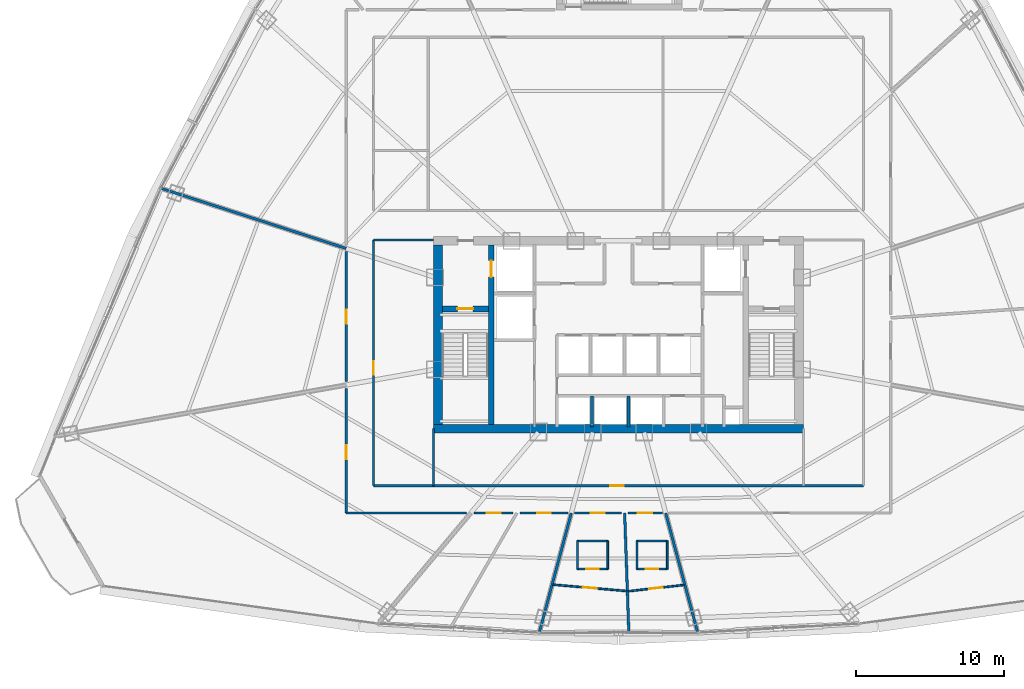
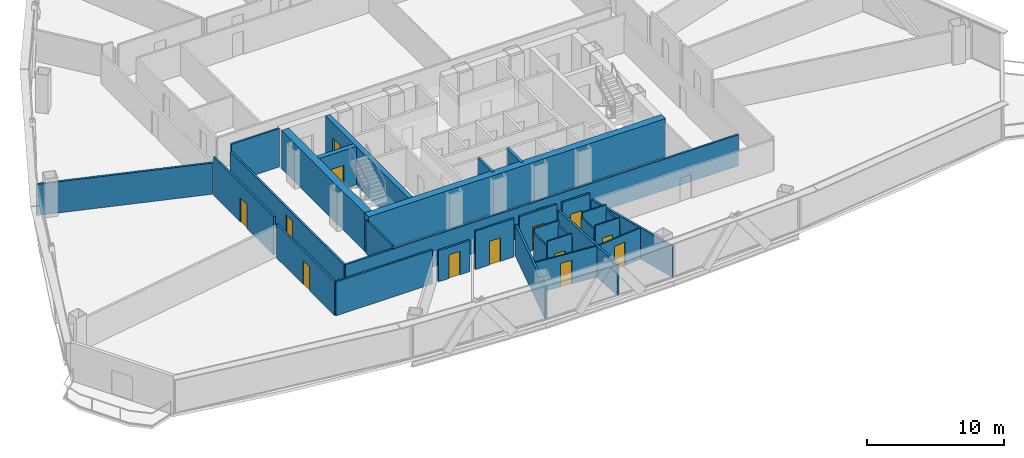
# One storey, part 32 of 39: 31 walls, 14 doors, 14 openings.
"""IFC4 building model written with IfcOpenShell, lengths in metres."""

import ifcopenshell
import ifcopenshell.guid

model = None  # the IFC model being written
_history = None  # IfcOwnerHistory: only IFC2X3 demands one
_inside = {}  # id of a spatial element -> (the spatial element, [elements in it])
_under = {}  # id of a project, library or spatial element -> (it, [spatial elements below it])
_declared = {}  # id of a project -> (the project, [libraries it declares])
_typed = {}  # id of a type object -> (the type object, [elements of that type])
_made_of = {}  # id of a material, layer set ... -> (it, [elements and type objects made of it])


def new_model(schema):
    """Start an empty IFC model of exactly this schema.

    Asked for "IFC4X3", IfcOpenShell would pick the latest addendum, in which some entities
    have other attributes; the version numbers below select the first issue.
    IFC2X3 requires an IfcOwnerHistory on every rooted entity: one is made here for all.
    """
    global model, _history
    if schema == "IFC4X3":
        model = ifcopenshell.file(schema_version=(4, 3, 0, 0))
    else:
        model = ifcopenshell.file(schema=schema)
    _inside.clear()
    _under.clear()
    _declared.clear()
    _typed.clear()
    _made_of.clear()
    _history = None
    if model.schema == "IFC2X3":
        org = make("IfcOrganization", Name="unknown")
        user = make(
            "IfcPersonAndOrganization",
            ThePerson=make("IfcPerson", FamilyName="unknown"),
            TheOrganization=org,
        )
        app = make(
            "IfcApplication",
            ApplicationDeveloper=org,
            Version="unknown",
            ApplicationFullName="unknown",
            ApplicationIdentifier="unknown",
        )
        _history = make(
            "IfcOwnerHistory",
            OwningUser=user,
            OwningApplication=app,
            ChangeAction="ADDED",
            CreationDate=0,
        )
    return model


def make(cls, **values):
    """One entity of the class cls with the attributes given. An attribute that is None is left unset."""
    return model.create_entity(
        cls, **{name: value for name, value in values.items() if value is not None}
    )


def rooted(cls, **values):
    """An entity with a GlobalId (a new one), such as an element, a storey or a relation."""
    return make(cls, GlobalId=ifcopenshell.guid.new(), OwnerHistory=_history, **values)


def si_unit(unit_type, name, prefix=None):
    """IfcSIUnit, for example si_unit("LENGTHUNIT", "METRE", prefix="MILLI")."""
    return make("IfcSIUnit", UnitType=unit_type, Prefix=prefix, Name=name)


def assignment(units):
    """IfcUnitAssignment: the units of a project."""
    return None if units is None else make("IfcUnitAssignment", Units=units)


def point(xyz):
    """IfcCartesianPoint."""
    return None if xyz is None else make("IfcCartesianPoint", Coordinates=xyz)


def direction(xyz):
    """IfcDirection."""
    return None if xyz is None else make("IfcDirection", DirectionRatios=xyz)


def frame(location, z_axis=None, x_axis=None):
    """IfcAxis2Placement3D, a coordinate frame: its origin and axes. An axis left out is left unset."""
    return make(
        "IfcAxis2Placement3D",
        Location=point(location),
        Axis=direction(z_axis),
        RefDirection=direction(x_axis),
    )


def frame_2d(location, x_axis=None):
    """IfcAxis2Placement2D, a coordinate frame in the plane: its origin and x axis."""
    return make(
        "IfcAxis2Placement2D", Location=point(location), RefDirection=direction(x_axis)
    )


def origin():
    """The frame at (0, 0, 0) with its axes left unset."""
    return frame((0.0, 0.0, 0.0))


def origin_with_axes():
    """The frame at (0, 0, 0) with the z axis (0, 0, 1) and the x axis (1, 0, 0) written out."""
    return frame((0.0, 0.0, 0.0), z_axis=(0.0, 0.0, 1.0), x_axis=(1.0, 0.0, 0.0))


def place(relative_to, where):
    """IfcLocalPlacement: puts the frame where relative to a parent placement (None: the world)."""
    return make(
        "IfcLocalPlacement", PlacementRelTo=relative_to, RelativePlacement=where
    )


def context(
    kind, dimensions, precision=None, world=None, true_north=None, identifier=None
):
    """IfcGeometricRepresentationContext, for example the 3D "Model" context."""
    return make(
        "IfcGeometricRepresentationContext",
        ContextIdentifier=identifier,
        ContextType=kind,
        CoordinateSpaceDimension=dimensions,
        Precision=precision,
        WorldCoordinateSystem=world,
        TrueNorth=true_north,
    )


def subcontext(parent, identifier, kind, view, scale=None):
    """IfcGeometricRepresentationSubContext, for example "Body" below "Model"."""
    return make(
        "IfcGeometricRepresentationSubContext",
        ContextIdentifier=identifier,
        ContextType=kind,
        ParentContext=parent,
        TargetScale=scale,
        TargetView=view,
    )


def project(units=None, contexts=None):
    """IfcProject with its units and contexts."""
    return rooted(
        "IfcProject",
        Name="project",
        RepresentationContexts=contexts,
        UnitsInContext=assignment(units),
    )


def spatial(cls, under=None, at=None, **own):
    """A site, building, storey or space (cls), placed at a placement, below another one or the project."""
    s = rooted(cls, ObjectPlacement=at, **own)
    if under is not None:
        _under.setdefault(under.id(), (under, []))[1].append(s)
    return s


def profile(cls, at=None, kind="AREA", **sizes):
    """A parametric profile (cls). Its sizes go by their IFC names, for example OverallWidth=200.0."""
    return make(cls, ProfileType=kind, Position=at, **sizes)


def rectangle(**sizes):
    """IfcRectangleProfileDef."""
    return profile("IfcRectangleProfileDef", **sizes)


def extrude(swept, where, along, depth):
    """IfcExtrudedAreaSolid: the profile swept, set in the frame where, extruded along a direction by depth."""
    return make(
        "IfcExtrudedAreaSolid",
        SweptArea=swept,
        Position=where,
        ExtrudedDirection=direction(along),
        Depth=depth,
    )


def shape(context_of_items, identifier, shape_type, items):
    """IfcShapeRepresentation: the items that make up one representation, for example the "Body"."""
    return make(
        "IfcShapeRepresentation",
        ContextOfItems=context_of_items,
        RepresentationIdentifier=identifier,
        RepresentationType=shape_type,
        Items=items,
    )


def source(mapping_origin, context_of_items, identifier, shape_type, items):
    """IfcRepresentationMap: a shape defined once, which mapped items show again and again."""
    return make(
        "IfcRepresentationMap",
        MappingOrigin=mapping_origin,
        MappedRepresentation=shape(context_of_items, identifier, shape_type, items),
    )


def transform(
    local_origin,
    x_axis=None,
    y_axis=None,
    z_axis=None,
    scale=None,
    scale2=None,
    scale3=None,
    uniform=True,
):
    """IfcCartesianTransformationOperator3D, or its non-uniform kind. x_axis, y_axis, z_axis: its Axis1, 2, 3."""
    if uniform:
        return make(
            "IfcCartesianTransformationOperator3D",
            Axis1=direction(x_axis),
            Axis2=direction(y_axis),
            LocalOrigin=point(local_origin),
            Scale=scale,
            Axis3=direction(z_axis),
        )
    return make(
        "IfcCartesianTransformationOperator3DnonUniform",
        Axis1=direction(x_axis),
        Axis2=direction(y_axis),
        LocalOrigin=point(local_origin),
        Scale=scale,
        Axis3=direction(z_axis),
        Scale2=scale2,
        Scale3=scale3,
    )


def mapped(mapping_source, mapping_target):
    """IfcMappedItem: shows the shape of a source again, moved by a transform."""
    return make(
        "IfcMappedItem", MappingSource=mapping_source, MappingTarget=mapping_target
    )


def material(Name=None, Category=None):
    """IfcMaterial."""
    return make("IfcMaterial", Name=Name, Category=Category)


def layer(
    of_material, thickness, ventilated=None, Name=None, Category=None, Priority=None
):
    """IfcMaterialLayer: one layer of a wall or slab, of a material (None: an air gap)."""
    return make(
        "IfcMaterialLayer",
        Material=of_material,
        LayerThickness=thickness,
        IsVentilated=ventilated,
        Name=Name,
        Category=Category,
        Priority=Priority,
    )


def layer_set(layers, Name=None):
    """IfcMaterialLayerSet."""
    return make("IfcMaterialLayerSet", MaterialLayers=layers, LayerSetName=Name)


def made_of(thing, what):
    """Note that an element or type object is made of a material, layer set ...; save() writes the relation."""
    if what is not None:
        _made_of.setdefault(what.id(), (what, []))[1].append(thing)
    return thing


def type_object(cls, material=None, **own):
    """A type object (cls), such as IfcWallType, which elements share."""
    return made_of(rooted(cls, **own), material)


def element(
    cls,
    number,
    at=None,
    inside=None,
    cuts=None,
    type_object=None,
    material=None,
    context=None,
    identifier="Body",
    shape_type=None,
    held_by="IfcProductDefinitionShape",
    body=None,
    shapes=None,
    **own,
):
    """One element of the class cls, such as IfcWall. Its Tag is "e" and its number.

    at: its placement. inside: the storey or other place that contains it. cuts: it is an
    opening in that element (IfcRelVoidsElement). A single representation is given by context,
    identifier, shape_type and body (its items); several are given by shapes. held_by: the class
    of the entity that holds the representations. save() writes the other relations.
    """
    e = rooted(cls, Tag="e%d" % number, ObjectPlacement=at, **own)
    if body is not None:
        shapes = [shape(context, identifier, shape_type, body)]
    if shapes is not None:
        e.Representation = make(held_by, Representations=shapes)
    if inside is not None:
        _inside.setdefault(inside.id(), (inside, []))[1].append(e)
    if cuts is not None:
        rooted(
            "IfcRelVoidsElement", RelatingBuildingElement=cuts, RelatedOpeningElement=e
        )
    if type_object is not None:
        _typed.setdefault(type_object.id(), (type_object, []))[1].append(e)
    return made_of(e, material)


def fill(opening, filler):
    """IfcRelFillsElement: the door or window that sits in an opening."""
    return rooted(
        "IfcRelFillsElement",
        RelatingOpeningElement=opening,
        RelatedBuildingElement=filler,
    )


def aggregate(whole, parts):
    """IfcRelAggregates: a whole, such as a stair, and the parts it consists of."""
    return rooted("IfcRelAggregates", RelatingObject=whole, RelatedObjects=parts)


def save(model, path):
    """Write the relations noted so far, then the file.

    IfcRelAggregates (storeys below a building ...), IfcRelContainedInSpatialStructure (elements
    in a storey), IfcRelDefinesByType, IfcRelAssociatesMaterial and IfcRelDeclares: one each for
    every whole, place, type object, material and project.
    """
    for whole, parts in _under.values():
        aggregate(whole, parts)
    for where, things in _inside.values():
        rooted(
            "IfcRelContainedInSpatialStructure",
            RelatedElements=things,
            RelatingStructure=where,
        )
    for kind, things in _typed.values():
        rooted("IfcRelDefinesByType", RelatedObjects=things, RelatingType=kind)
    for what, things in _made_of.values():
        rooted("IfcRelAssociatesMaterial", RelatedObjects=things, RelatingMaterial=what)
    for by, libraries in _declared.values():
        rooted("IfcRelDeclares", RelatingContext=by, RelatedDefinitions=libraries)
    model.write(path)


model = new_model("IFC4")

# Units and contexts
model_context = context("Model", 3, precision=1e-05, world=origin(), true_north=direction((0.0, 1.0)))
body_context = subcontext(model_context, "Body", "Model", "MODEL_VIEW")
ifc_project = project(units=[si_unit("LENGTHUNIT", "METRE"), si_unit("AREAUNIT", "SQUARE_METRE"), si_unit("VOLUMEUNIT", "CUBIC_METRE"), si_unit("PLANEANGLEUNIT", "RADIAN"), si_unit("MASSUNIT", "GRAM", prefix="KILO"), si_unit("THERMODYNAMICTEMPERATUREUNIT", "KELVIN"), si_unit("POWERUNIT", "WATT")], contexts=[model_context])

# Site, building, storey
site_placement = place(None, origin())
site = spatial("IfcSite", under=ifc_project, at=site_placement, CompositionType="ELEMENT")
building_placement = place(site_placement, origin())
building = spatial("IfcBuilding", under=site, at=building_placement, Name="Yunzhuo Pagoda Commons", CompositionType="ELEMENT")
storey_placement = place(building_placement, frame((0.0, 0.0, 162.949951171875)))
storey = spatial("IfcBuildingStorey", under=building, at=storey_placement, Name="L41", CompositionType="ELEMENT", Elevation=162.949951171875)

# Walls
ifc_material_1 = material(Name="Concrete C60", Category="concrete")
ifc_layer_1 = layer(ifc_material_1, 0.60009765625)
ifc_layer_set_1 = layer_set([ifc_layer_1], Name="Concrete C60")
wall_type_1 = type_object("IfcWallType", Name="W-C02 Mid Core Shear Wall 600", PredefinedType="SHEAR", material=ifc_layer_set_1)
wall_1_placement = place(storey_placement, frame((35.5, 27.5, 0.0), z_axis=(0.0, 0.0, 1.0), x_axis=(1.0, 0.0, 0.0)))
element("IfcWall", 1, at=wall_1_placement, inside=storey, type_object=wall_type_1, Name="L41 core shear wall S", PredefinedType="SHEAR", context=body_context, shape_type="SweptSolid", body=[
    extrude(rectangle(XDim=25.0, YDim=0.60009765625, at=frame_2d((12.5, 0.0))), origin(), (0.0, 0.0, 1.0), 3.420166015625),
])
wall_2_placement = place(storey_placement, frame((35.800048828125, 27.800048828125, 0.0), z_axis=(0.0, 0.0, 1.0), x_axis=(0.0, 1.0, 0.0)))
element("IfcWall", 2, at=wall_2_placement, inside=storey, type_object=wall_type_1, Name="L41 core shear wall W", PredefinedType="SHEAR", context=body_context, shape_type="SweptSolid", body=[
    extrude(rectangle(XDim=12.099853515625, YDim=0.60009765625, at=frame_2d((6.0498046875, 0.0))), origin(), (0.0, 0.0, 1.0), 3.420166015625),
])

# Wall, opening, door
ifc_material_2 = material(Name="Gypsum plasterboard on acoustic stud")
ifc_layer_2 = layer(ifc_material_2, 0.155029296875)
ifc_layer_set_2 = layer_set([ifc_layer_2], Name="Gypsum plasterboard on acoustic stud")
wall_type_2 = type_object("IfcWallType", Name="W-COR2 Mid-Zone Rated Corridor Wall 155", PredefinedType="PARTITIONING", material=ifc_layer_set_2)
wall_3_placement = place(storey_placement, frame((31.449951171875, 23.64990234375, 0.0), z_axis=(0.0, 0.0, 1.0), x_axis=(0.0, 1.0, 0.0)))
wall_3 = element("IfcWall", 3, at=wall_3_placement, inside=storey, type_object=wall_type_2, Name="L41 interior wall IW-L41-SFLW", PredefinedType="PARTITIONING", context=body_context, shape_type="SweptSolid", body=[
    extrude(rectangle(XDim=16.60009765625, YDim=0.155029296875, at=frame_2d((8.300048828125, 0.0))), origin(), (0.0, 0.0, 1.0), 2.77001953125),
])
opening_1_placement = place(wall_3_placement, frame((7.5, 0.0, 0.0)))
opening_1 = element("IfcOpeningElement", 4, at=opening_1_placement, cuts=wall_3, Name="Opening D-12", PredefinedType="OPENING", context=body_context, shape_type="SweptSolid", body=[
    extrude(rectangle(XDim=0.89990234375, YDim=2.080078125, at=frame_2d((0.449951171875, 1.0400390625))), frame((0.0, 0.08740234375, 0.0), z_axis=(0.0, -1.0, 0.0), x_axis=(1.0, 0.0, 0.0)), (0.0, 0.0, 1.0), 0.175048828125),
])
ifc_material_3 = material(Name="Powder-coated aluminium and timber acoustic leaf", Category="wood")
door_type_1 = type_object("IfcDoorType", Name="D-12 Quiet Study Interior Door 900x2080", OperationType="NOTDEFINED", PredefinedType="DOOR", material=ifc_material_3)
shared_shape_1 = source(origin(), body_context, "Body", "SweptSolid", [
    extrude(rectangle(XDim=0.89990234375, YDim=2.080078125, at=frame_2d((0.449951171875, 1.0400390625))), frame((0.0, 0.02490234375, 0.0), z_axis=(0.0, -1.0, 0.0), x_axis=(1.0, 0.0, 0.0)), (0.0, 0.0, 1.0), 0.050048828125),
])
door_1_placement = place(opening_1_placement, origin_with_axes())
door_1 = element("IfcDoor", 5, at=door_1_placement, inside=storey, type_object=door_type_1, Name="L41 west study workroom door", OperationType="SINGLE_SWING_LEFT", OverallHeight=2.080078125, OverallWidth=0.89990234375, PredefinedType="DOOR", context=body_context, shape_type="MappedRepresentation", body=[
    mapped(shared_shape_1, transform((0.0, 0.0, 0.0), scale=1.0)),
])
fill(opening_1, door_1)

wall_4_placement = place(storey_placement, frame((31.449951171875, 23.64990234375, 0.0), z_axis=(0.0, 0.0, 1.0), x_axis=(1.0, 0.0, 0.0)))
wall_4 = element("IfcWall", 6, at=wall_4_placement, inside=storey, type_object=wall_type_2, Name="L41 interior wall IW-L41-SFLS", PredefinedType="PARTITIONING", context=body_context, shape_type="SweptSolid", body=[
    extrude(rectangle(XDim=33.10009765625, YDim=0.155029296875, at=frame_2d((16.550048828125, 0.0))), origin(), (0.0, 0.0, 1.0), 2.77001953125),
])
opening_2_placement = place(wall_4_placement, frame((16.0, 0.0, 0.0)))
opening_2 = element("IfcOpeningElement", 7, at=opening_2_placement, cuts=wall_4, Name="Opening D-04", PredefinedType="OPENING", context=body_context, shape_type="SweptSolid", body=[
    extrude(rectangle(XDim=0.919921875, YDim=2.10009765625, at=frame_2d((0.4599609375, 1.050048828125))), frame((0.0, 0.08740234375, 0.0), z_axis=(0.0, -1.0, 0.0), x_axis=(1.0, 0.0, 0.0)), (0.0, 0.0, 1.0), 0.175048828125),
])
door_type_2 = type_object("IfcDoorType", Name="D-04 Bedroom & Study Interior Door 920x2100", OperationType="NOTDEFINED", PredefinedType="DOOR", material=ifc_material_3)
shared_shape_2 = source(origin(), body_context, "Body", "SweptSolid", [
    extrude(rectangle(XDim=0.919921875, YDim=2.10009765625, at=frame_2d((0.4599609375, 1.050048828125))), frame((0.0, 0.02490234375, 0.0), z_axis=(0.0, -1.0, 0.0), x_axis=(1.0, 0.0, 0.0)), (0.0, 0.0, 1.0), 0.050048828125),
])
door_2_placement = place(opening_2_placement, frame((0.919921875, 0.0, 0.0), z_axis=(0.0, 0.0, 1.0), x_axis=(-1.0, 0.0, 0.0)))
door_2 = element("IfcDoor", 8, at=door_2_placement, inside=storey, type_object=door_type_2, Name="L41 south seminar room door", OperationType="SINGLE_SWING_RIGHT", OverallHeight=2.10009765625, OverallWidth=0.919921875, PredefinedType="DOOR", context=body_context, shape_type="MappedRepresentation", body=[
    mapped(shared_shape_2, transform((0.0, 0.0, 0.0), scale=1.0)),
])
fill(opening_2, door_2)

# Wall
wall_5_placement = place(storey_placement, frame((31.449951171875, 40.25, 0.0), z_axis=(0.0, 0.0, 1.0), x_axis=(1.0, 0.0, 0.0)))
element("IfcWall", 9, at=wall_5_placement, inside=storey, type_object=wall_type_2, Name="L41 interior wall IW-L41-SFLNW", PredefinedType="PARTITIONING", context=body_context, shape_type="SweptSolid", body=[
    extrude(rectangle(XDim=4.050048828125, YDim=0.155029296875, at=frame_2d((2.02490234375, 0.0))), origin(), (0.0, 0.0, 1.0), 3.420166015625),
])

# Wall, opening, door
wall_6_placement = place(storey_placement, frame((29.60009765625, 21.800048828125, 0.0), z_axis=(0.0, 0.0, 1.0), x_axis=(0.0, 1.0, 0.0)))
wall_6 = element("IfcWall", 10, at=wall_6_placement, inside=storey, type_object=wall_type_2, Name="L41 interior wall IW-L41-CWL01", PredefinedType="PARTITIONING", context=body_context, shape_type="SweptSolid", body=[
    extrude(rectangle(XDim=8.43212890625, YDim=0.155029296875, at=frame_2d((4.216064453125, 0.0))), origin(), (0.0, 0.0, 1.0), 3.02001953125),
])
opening_3_placement = place(wall_6_placement, frame((3.622802734375, 0.0, 0.0)))
opening_3 = element("IfcOpeningElement", 11, at=opening_3_placement, cuts=wall_6, Name="Opening D-07", PredefinedType="OPENING", context=body_context, shape_type="SweptSolid", body=[
    extrude(rectangle(XDim=0.9599609375, YDim=2.1201171875, at=frame_2d((0.47998046875, 1.06005859375))), frame((0.0, 0.08740234375, 0.0), z_axis=(0.0, -1.0, 0.0), x_axis=(1.0, 0.0, 0.0)), (0.0, 0.0, 1.0), 0.175048828125),
])
ifc_material_4 = material(Name="Galvanized fire-resisting metal leaf")
door_type_3 = type_object("IfcDoorType", Name="D-07 Mid-Zone Suite Entrance Fire Door 960x2120", OperationType="NOTDEFINED", PredefinedType="DOOR", material=ifc_material_4)
shared_shape_3 = source(origin(), body_context, "Body", "SweptSolid", [
    extrude(rectangle(XDim=0.9599609375, YDim=2.1201171875, at=frame_2d((0.47998046875, 1.06005859375))), frame((0.0, 0.02490234375, 0.0), z_axis=(0.0, -1.0, 0.0), x_axis=(1.0, 0.0, 0.0)), (0.0, 0.0, 1.0), 0.050048828125),
])
door_3_placement = place(opening_3_placement, origin_with_axes())
door_3 = element("IfcDoor", 12, at=door_3_placement, inside=storey, type_object=door_type_3, Name="L41 unit 09 entrance door", OperationType="SINGLE_SWING_RIGHT", OverallHeight=2.1201171875, OverallWidth=0.9599609375, PredefinedType="DOOR", context=body_context, shape_type="MappedRepresentation", body=[
    mapped(shared_shape_3, transform((0.0, 0.0, 0.0), scale=1.0)),
])
fill(opening_3, door_3)

wall_7_placement = place(storey_placement, frame((29.60009765625, 30.67529296875, 0.0), z_axis=(0.0, 0.0, 1.0), x_axis=(0.0, 1.0, 0.0)))
wall_7 = element("IfcWall", 13, at=wall_7_placement, inside=storey, type_object=wall_type_2, Name="L41 interior wall IW-L41-CWL02", PredefinedType="PARTITIONING", context=body_context, shape_type="SweptSolid", body=[
    extrude(rectangle(XDim=8.783447265625, YDim=0.155029296875, at=frame_2d((4.3916015625, 0.0))), origin(), (0.0, 0.0, 1.0), 3.420166015625),
])
opening_4_placement = place(wall_7_placement, frame((3.916748046875, 0.0, 0.0)))
opening_4 = element("IfcOpeningElement", 14, at=opening_4_placement, cuts=wall_7, Name="Opening D-07", PredefinedType="OPENING", context=body_context, shape_type="SweptSolid", body=[
    extrude(rectangle(XDim=0.9599609375, YDim=2.1201171875, at=frame_2d((0.47998046875, 1.06005859375))), frame((0.0, 0.08740234375, 0.0), z_axis=(0.0, -1.0, 0.0), x_axis=(1.0, 0.0, 0.0)), (0.0, 0.0, 1.0), 0.175048828125),
])
door_4_placement = place(opening_4_placement, origin_with_axes())
door_4 = element("IfcDoor", 15, at=door_4_placement, inside=storey, type_object=door_type_3, Name="L41 unit 08 entrance door", OperationType="SINGLE_SWING_LEFT", OverallHeight=2.1201171875, OverallWidth=0.9599609375, PredefinedType="DOOR", context=body_context, shape_type="MappedRepresentation", body=[
    mapped(shared_shape_3, transform((0.0, 0.0, 0.0), scale=1.0)),
])
fill(opening_4, door_4)

wall_8_placement = place(storey_placement, frame((50.96875, 21.800048828125, 0.0), z_axis=(0.0, 0.0, 1.0), x_axis=(-1.0, 0.0, 0.0)))
wall_8 = element("IfcWall", 16, at=wall_8_placement, inside=storey, type_object=wall_type_2, Name="L41 interior wall IW-L41-CWL16", PredefinedType="PARTITIONING", context=body_context, shape_type="SweptSolid", body=[
    extrude(rectangle(XDim=2.3330078125, YDim=0.155029296875, at=frame_2d((1.16650390625, 0.0))), origin(), (0.0, 0.0, 1.0), 3.420166015625),
])
opening_5_placement = place(wall_8_placement, frame((0.691650390625, 0.0, 0.0)))
opening_5 = element("IfcOpeningElement", 17, at=opening_5_placement, cuts=wall_8, Name="Opening D-07", PredefinedType="OPENING", context=body_context, shape_type="SweptSolid", body=[
    extrude(rectangle(XDim=0.9599609375, YDim=2.1201171875, at=frame_2d((0.47998046875, 1.06005859375))), frame((0.0, 0.08740234375, 0.0), z_axis=(0.0, -1.0, 0.0), x_axis=(1.0, 0.0, 0.0)), (0.0, 0.0, 1.0), 0.175048828125),
])
door_5_placement = place(opening_5_placement, origin_with_axes())
door_5 = element("IfcDoor", 18, at=door_5_placement, inside=storey, type_object=door_type_3, Name="L41 unit 13 entrance door", OperationType="SINGLE_SWING_RIGHT", OverallHeight=2.1201171875, OverallWidth=0.9599609375, PredefinedType="DOOR", context=body_context, shape_type="MappedRepresentation", body=[
    mapped(shared_shape_3, transform((0.0, 0.0, 0.0), scale=1.0)),
])
fill(opening_5, door_5)

wall_9_placement = place(storey_placement, frame((48.19580078125, 21.800048828125, 0.0), z_axis=(0.0, 0.0, 1.0), x_axis=(-1.0, 0.0, 0.0)))
wall_9 = element("IfcWall", 19, at=wall_9_placement, inside=storey, type_object=wall_type_2, Name="L41 interior wall IW-L41-CWL17", PredefinedType="PARTITIONING", context=body_context, shape_type="SweptSolid", body=[
    extrude(rectangle(XDim=3.16455078125, YDim=0.155029296875, at=frame_2d((1.582275390625, 0.0))), origin(), (0.0, 0.0, 1.0), 3.420166015625),
])
opening_6_placement = place(wall_9_placement, frame((1.107421875, 0.0, 0.0)))
opening_6 = element("IfcOpeningElement", 20, at=opening_6_placement, cuts=wall_9, Name="Opening D-07", PredefinedType="OPENING", context=body_context, shape_type="SweptSolid", body=[
    extrude(rectangle(XDim=0.9599609375, YDim=2.1201171875, at=frame_2d((0.47998046875, 1.06005859375))), frame((0.0, 0.08740234375, 0.0), z_axis=(0.0, -1.0, 0.0), x_axis=(1.0, 0.0, 0.0)), (0.0, 0.0, 1.0), 0.175048828125),
])
door_6_placement = place(opening_6_placement, origin_with_axes())
door_6 = element("IfcDoor", 21, at=door_6_placement, inside=storey, type_object=door_type_3, Name="L41 unit 12 entrance door", OperationType="SINGLE_SWING_LEFT", OverallHeight=2.1201171875, OverallWidth=0.9599609375, PredefinedType="DOOR", context=body_context, shape_type="MappedRepresentation", body=[
    mapped(shared_shape_3, transform((0.0, 0.0, 0.0), scale=1.0)),
])
fill(opening_6, door_6)

wall_10_placement = place(storey_placement, frame((44.58349609375, 21.800048828125, 0.0), z_axis=(0.0, 0.0, 1.0), x_axis=(-1.0, 0.0, 0.0)))
wall_10 = element("IfcWall", 22, at=wall_10_placement, inside=storey, type_object=wall_type_2, Name="L41 interior wall IW-L41-CWL18", PredefinedType="PARTITIONING", context=body_context, shape_type="SweptSolid", body=[
    extrude(rectangle(XDim=3.234130859375, YDim=0.155029296875, at=frame_2d((1.6171875, 0.0))), origin(), (0.0, 0.0, 1.0), 3.420166015625),
])
opening_7_placement = place(wall_10_placement, frame((1.153076171875, 0.0, 0.0)))
opening_7 = element("IfcOpeningElement", 23, at=opening_7_placement, cuts=wall_10, Name="Opening D-04", PredefinedType="OPENING", context=body_context, shape_type="SweptSolid", body=[
    extrude(rectangle(XDim=0.919921875, YDim=2.10009765625, at=frame_2d((0.4599609375, 1.050048828125))), frame((0.0, 0.08740234375, 0.0), z_axis=(0.0, -1.0, 0.0), x_axis=(1.0, 0.0, 0.0)), (0.0, 0.0, 1.0), 0.175048828125),
])
door_7_placement = place(opening_7_placement, origin_with_axes())
door_7 = element("IfcDoor", 24, at=door_7_placement, inside=storey, type_object=door_type_2, Name="L41 fellow workroom 11 door", OperationType="SINGLE_SWING_RIGHT", OverallHeight=2.10009765625, OverallWidth=0.919921875, PredefinedType="DOOR", context=body_context, shape_type="MappedRepresentation", body=[
    mapped(shared_shape_2, transform((0.0, 0.0, 0.0), scale=1.0)),
])
fill(opening_7, door_7)

wall_11_placement = place(storey_placement, frame((40.87548828125, 21.800048828125, 0.0), z_axis=(0.0, 0.0, 1.0), x_axis=(-1.0, 0.0, 0.0)))
wall_11 = element("IfcWall", 25, at=wall_11_placement, inside=storey, type_object=wall_type_2, Name="L41 interior wall IW-L41-CWL19", PredefinedType="PARTITIONING", context=body_context, shape_type="SweptSolid", body=[
    extrude(rectangle(XDim=2.640869140625, YDim=0.155029296875, at=frame_2d((1.3203125, 0.0))), origin(), (0.0, 0.0, 1.0), 2.77001953125),
])
opening_8_placement = place(wall_11_placement, frame((0.843505859375, 0.0, 0.0)))
opening_8 = element("IfcOpeningElement", 26, at=opening_8_placement, cuts=wall_11, Name="Opening D-04", PredefinedType="OPENING", context=body_context, shape_type="SweptSolid", body=[
    extrude(rectangle(XDim=0.919921875, YDim=2.10009765625, at=frame_2d((0.4599609375, 1.050048828125))), frame((0.0, 0.08740234375, 0.0), z_axis=(0.0, -1.0, 0.0), x_axis=(1.0, 0.0, 0.0)), (0.0, 0.0, 1.0), 0.175048828125),
])
door_8_placement = place(opening_8_placement, origin_with_axes())
door_8 = element("IfcDoor", 27, at=door_8_placement, inside=storey, type_object=door_type_2, Name="L41 fellow workroom 10 door", OperationType="SINGLE_SWING_LEFT", OverallHeight=2.10009765625, OverallWidth=0.919921875, PredefinedType="DOOR", context=body_context, shape_type="MappedRepresentation", body=[
    mapped(shared_shape_2, transform((0.0, 0.0, 0.0), scale=1.0)),
])
fill(opening_8, door_8)

# Walls
wall_12_placement = place(storey_placement, frame((37.7275390625, 21.800048828125, 0.0), z_axis=(0.0, 0.0, 1.0), x_axis=(-1.0, 0.0, 0.0)))
element("IfcWall", 28, at=wall_12_placement, inside=storey, type_object=wall_type_2, Name="L41 interior wall IW-L41-CWL20", PredefinedType="PARTITIONING", context=body_context, shape_type="SweptSolid", body=[
    extrude(rectangle(XDim=8.12744140625, YDim=0.155029296875, at=frame_2d((4.063720703125, 0.0))), origin(), (0.0, 0.0, 1.0), 3.02001953125),
])
ifc_layer_3 = layer(ifc_material_2, 0.1201171875)
ifc_layer_set_3 = layer_set([ifc_layer_3], Name="Gypsum plasterboard on acoustic stud")
wall_type_3 = type_object("IfcWallType", Name="W-PRT1 Suite & Bathroom Partition 120", PredefinedType="PARTITIONING", material=ifc_layer_set_3)
wall_13_placement = place(storey_placement, frame((35.5, 23.64990234375, 0.0), z_axis=(0.0, 0.0, 1.0), x_axis=(0.0, 1.0, 0.0)))
element("IfcWall", 29, at=wall_13_placement, inside=storey, type_object=wall_type_3, Name="L41 interior wall IW-L41-SFLD1", PredefinedType="PARTITIONING", context=body_context, shape_type="SweptSolid", body=[
    extrude(rectangle(XDim=3.85009765625, YDim=0.1201171875, at=frame_2d((1.925048828125, 0.0))), origin(), (0.0, 0.0, 1.0), 3.02001953125),
])

# Wall, opening, door
wall_14_placement = place(storey_placement, frame((45.22900390625, 18.02001953125, 0.0), z_axis=(0.0, 0.0, 1.0), x_axis=(1.0, 0.0, 0.0)))
wall_14 = element("IfcWall", 30, at=wall_14_placement, inside=storey, type_object=wall_type_3, Name="L41 interior wall IW-L41-B12S", PredefinedType="PARTITIONING", context=body_context, shape_type="SweptSolid", body=[
    extrude(rectangle(XDim=2.050048828125, YDim=0.1201171875, at=frame_2d((1.02490234375, 0.0))), origin(), (0.0, 0.0, 1.0), 3.420166015625),
])
opening_9_placement = place(wall_14_placement, frame((0.60009765625, 0.0, 0.0)))
opening_9 = element("IfcOpeningElement", 31, at=opening_9_placement, cuts=wall_14, Name="Opening D-05", PredefinedType="OPENING", context=body_context, shape_type="SweptSolid", body=[
    extrude(rectangle(XDim=0.85009765625, YDim=2.10009765625, at=frame_2d((0.425048828125, 1.050048828125))), frame((0.0, 0.070068359375, 0.0), z_axis=(0.0, -1.0, 0.0), x_axis=(1.0, 0.0, 0.0)), (0.0, 0.0, 1.0), 0.14013671875),
])
door_type_4 = type_object("IfcDoorType", Name="D-05 En-Suite Bathroom Door 850x2100", OperationType="NOTDEFINED", PredefinedType="DOOR", material=ifc_material_3)
shared_shape_4 = source(origin(), body_context, "Body", "SweptSolid", [
    extrude(rectangle(XDim=0.85009765625, YDim=2.10009765625, at=frame_2d((0.425048828125, 1.050048828125))), frame((0.0, 0.02490234375, 0.0), z_axis=(0.0, -1.0, 0.0), x_axis=(1.0, 0.0, 0.0)), (0.0, 0.0, 1.0), 0.050048828125),
])
door_9_placement = place(opening_9_placement, frame((0.85009765625, 0.0, 0.0), z_axis=(0.0, 0.0, 1.0), x_axis=(-1.0, 0.0, 0.0)))
door_9 = element("IfcDoor", 32, at=door_9_placement, inside=storey, type_object=door_type_4, Name="L41 unit 12 bathroom door", OperationType="SINGLE_SWING_LEFT", OverallHeight=2.10009765625, OverallWidth=0.85009765625, PredefinedType="DOOR", context=body_context, shape_type="MappedRepresentation", body=[
    mapped(shared_shape_4, transform((0.0, 0.0, 0.0), scale=1.0)),
])
fill(opening_9, door_9)

# Walls
wall_15_placement = place(storey_placement, frame((47.279052734375, 18.02001953125, 0.0), z_axis=(0.0, 0.0, 1.0), x_axis=(0.0, 1.0, 0.0)))
element("IfcWall", 33, at=wall_15_placement, inside=storey, type_object=wall_type_3, Name="L41 interior wall IW-L41-B12E", PredefinedType="PARTITIONING", context=body_context, shape_type="SweptSolid", body=[
    extrude(rectangle(XDim=1.89990234375, YDim=0.1201171875, at=frame_2d((0.949951171875, 0.0))), origin(), (0.0, 0.0, 1.0), 3.02001953125),
])
wall_16_placement = place(storey_placement, frame((47.279052734375, 19.919921875, 0.0), z_axis=(0.0, 0.0, 1.0), x_axis=(-1.0, 0.0, 0.0)))
element("IfcWall", 34, at=wall_16_placement, inside=storey, type_object=wall_type_3, Name="L41 interior wall IW-L41-B12N", PredefinedType="PARTITIONING", context=body_context, shape_type="SweptSolid", body=[
    extrude(rectangle(XDim=2.050048828125, YDim=0.1201171875, at=frame_2d((1.02490234375, 0.0))), origin(), (0.0, 0.0, 1.0), 3.420166015625),
])
wall_17_placement = place(storey_placement, frame((45.22900390625, 19.919921875, 0.0), z_axis=(0.0, 0.0, 1.0), x_axis=(0.0, -1.0, 0.0)))
element("IfcWall", 35, at=wall_17_placement, inside=storey, type_object=wall_type_3, Name="L41 interior wall IW-L41-B12W", PredefinedType="PARTITIONING", context=body_context, shape_type="SweptSolid", body=[
    extrude(rectangle(XDim=1.89990234375, YDim=0.1201171875, at=frame_2d((0.949951171875, 0.0))), origin(), (0.0, 0.0, 1.0), 3.02001953125),
])

# Wall, opening, door
wall_18_placement = place(storey_placement, frame((43.577392578125, 16.96240234375, 0.0), z_axis=(0.0, 0.0, 1.0), x_axis=(0.996284419504, -0.086124070114, 0.0)))
wall_18 = element("IfcWall", 36, at=wall_18_placement, inside=storey, type_object=wall_type_3, Name="L41 interior wall IW-L41-CLB12", PredefinedType="PARTITIONING", context=body_context, shape_type="SweptSolid", body=[
    extrude(rectangle(XDim=4.980712890625, YDim=0.1201171875, at=frame_2d((2.490234375, 0.0))), origin(), (0.0, 0.0, 1.0), 2.77001953125),
])
opening_10_placement = place(wall_18_placement, frame((2.030517578125, 0.0, 0.0)))
opening_10 = element("IfcOpeningElement", 37, at=opening_10_placement, cuts=wall_18, Name="Opening D-04", PredefinedType="OPENING", context=body_context, shape_type="SweptSolid", body=[
    extrude(rectangle(XDim=0.919921875, YDim=2.10009765625, at=frame_2d((0.4599609375, 1.050048828125))), frame((0.0, 0.070068359375, 0.0), z_axis=(0.0, -1.0, 0.0), x_axis=(1.0, 0.0, 0.0)), (0.0, 0.0, 1.0), 0.14013671875),
])
door_10_placement = place(opening_10_placement, origin_with_axes())
door_10 = element("IfcDoor", 38, at=door_10_placement, inside=storey, type_object=door_type_2, Name="L41 suite 12 bedroom door", OperationType="SINGLE_SWING_LEFT", OverallHeight=2.10009765625, OverallWidth=0.919921875, PredefinedType="DOOR", context=body_context, shape_type="MappedRepresentation", body=[
    mapped(shared_shape_2, transform((0.0, 0.0, 0.0), scale=1.0)),
])
fill(opening_10, door_10)

wall_19_placement = place(storey_placement, frame((49.24609375, 18.01708984375, 0.0), z_axis=(0.0, 0.0, 1.0), x_axis=(1.0, 0.0, 0.0)))
wall_19 = element("IfcWall", 39, at=wall_19_placement, inside=storey, type_object=wall_type_3, Name="L41 interior wall IW-L41-B13S", PredefinedType="PARTITIONING", context=body_context, shape_type="SweptSolid", body=[
    extrude(rectangle(XDim=2.0498046875, YDim=0.1201171875, at=frame_2d((1.02490234375, 0.0))), origin(), (0.0, 0.0, 1.0), 3.420166015625),
])
opening_11_placement = place(wall_19_placement, frame((0.60009765625, 0.0, 0.0)))
opening_11 = element("IfcOpeningElement", 40, at=opening_11_placement, cuts=wall_19, Name="Opening D-05", PredefinedType="OPENING", context=body_context, shape_type="SweptSolid", body=[
    extrude(rectangle(XDim=0.85009765625, YDim=2.10009765625, at=frame_2d((0.425048828125, 1.050048828125))), frame((0.0, 0.070068359375, 0.0), z_axis=(0.0, -1.0, 0.0), x_axis=(1.0, 0.0, 0.0)), (0.0, 0.0, 1.0), 0.14013671875),
])
door_11_placement = place(opening_11_placement, frame((0.85009765625, 0.0, 0.0), z_axis=(0.0, 0.0, 1.0), x_axis=(-1.0, 0.0, 0.0)))
door_11 = element("IfcDoor", 41, at=door_11_placement, inside=storey, type_object=door_type_4, Name="L41 unit 13 bathroom door", OperationType="SINGLE_SWING_RIGHT", OverallHeight=2.10009765625, OverallWidth=0.85009765625, PredefinedType="DOOR", context=body_context, shape_type="MappedRepresentation", body=[
    mapped(shared_shape_4, transform((0.0, 0.0, 0.0), scale=1.0)),
])
fill(opening_11, door_11)

# Walls
wall_20_placement = place(storey_placement, frame((51.2958984375, 18.01708984375, 0.0), z_axis=(0.0, 0.0, 1.0), x_axis=(0.0, 1.0, 0.0)))
element("IfcWall", 42, at=wall_20_placement, inside=storey, type_object=wall_type_3, Name="L41 interior wall IW-L41-B13E", PredefinedType="PARTITIONING", context=body_context, shape_type="SweptSolid", body=[
    extrude(rectangle(XDim=1.89990234375, YDim=0.1201171875, at=frame_2d((0.949951171875, 0.0))), origin(), (0.0, 0.0, 1.0), 3.02001953125),
])
wall_21_placement = place(storey_placement, frame((51.2958984375, 19.9169921875, 0.0), z_axis=(0.0, 0.0, 1.0), x_axis=(-1.0, 0.0, 0.0)))
element("IfcWall", 43, at=wall_21_placement, inside=storey, type_object=wall_type_3, Name="L41 interior wall IW-L41-B13N", PredefinedType="PARTITIONING", context=body_context, shape_type="SweptSolid", body=[
    extrude(rectangle(XDim=2.0498046875, YDim=0.1201171875, at=frame_2d((1.02490234375, 0.0))), origin(), (0.0, 0.0, 1.0), 3.420166015625),
])
wall_22_placement = place(storey_placement, frame((49.24609375, 19.9169921875, 0.0), z_axis=(0.0, 0.0, 1.0), x_axis=(0.0, -1.0, 0.0)))
element("IfcWall", 44, at=wall_22_placement, inside=storey, type_object=wall_type_3, Name="L41 interior wall IW-L41-B13W", PredefinedType="PARTITIONING", context=body_context, shape_type="SweptSolid", body=[
    extrude(rectangle(XDim=1.89990234375, YDim=0.1201171875, at=frame_2d((0.949951171875, 0.0))), origin(), (0.0, 0.0, 1.0), 3.02001953125),
])

# Wall, opening, door
wall_23_placement = place(storey_placement, frame((48.66015625, 16.518310546875, 0.0), z_axis=(0.0, 0.0, 1.0), x_axis=(0.993740790244, 0.111710526829, 0.0)))
wall_23 = element("IfcWall", 45, at=wall_23_placement, inside=storey, type_object=wall_type_3, Name="L41 interior wall IW-L41-CLB13", PredefinedType="PARTITIONING", context=body_context, shape_type="SweptSolid", body=[
    extrude(rectangle(XDim=3.791748046875, YDim=0.1201171875, at=frame_2d((1.89599609375, 0.0))), origin(), (0.0, 0.0, 1.0), 2.77001953125),
])
opening_12_placement = place(wall_23_placement, frame((1.435791015625, 0.0, 0.0)))
opening_12 = element("IfcOpeningElement", 46, at=opening_12_placement, cuts=wall_23, Name="Opening D-04", PredefinedType="OPENING", context=body_context, shape_type="SweptSolid", body=[
    extrude(rectangle(XDim=0.919921875, YDim=2.10009765625, at=frame_2d((0.4599609375, 1.050048828125))), frame((0.0, 0.070068359375, 0.0), z_axis=(0.0, -1.0, 0.0), x_axis=(1.0, 0.0, 0.0)), (0.0, 0.0, 1.0), 0.14013671875),
])
door_12_placement = place(opening_12_placement, origin_with_axes())
door_12 = element("IfcDoor", 47, at=door_12_placement, inside=storey, type_object=door_type_2, Name="L41 suite 13 bedroom door", OperationType="SINGLE_SWING_RIGHT", OverallHeight=2.10009765625, OverallWidth=0.919921875, PredefinedType="DOOR", context=body_context, shape_type="MappedRepresentation", body=[
    mapped(shared_shape_2, transform((0.0, 0.0, 0.0), scale=1.0)),
])
fill(opening_12, door_12)

# Walls
ifc_layer_4 = layer(ifc_material_2, 0.175048828125)
ifc_layer_set_4 = layer_set([ifc_layer_4], Name="Gypsum plasterboard on acoustic stud")
wall_type_4 = type_object("IfcWallType", Name="W-PRT3 Mid-Zone Demising Wall 175", PredefinedType="PARTITIONING", material=ifc_layer_set_4)
wall_24_placement = place(storey_placement, frame((29.60009765625, 39.678466796875, 0.0), z_axis=(0.0, 0.0, 1.0), x_axis=(-0.951058745875, 0.309010132349, 0.0)))
element("IfcWall", 48, at=wall_24_placement, inside=storey, type_object=wall_type_4, Name="L41 interior wall IW-L41-RAD08", PredefinedType="PARTITIONING", context=body_context, shape_type="SweptSolid", body=[
    extrude(rectangle(XDim=13.157958984375, YDim=0.175048828125, at=frame_2d((6.5791015625, 0.0))), origin(), (0.0, 0.0, 1.0), 2.77001953125),
])
wall_25_placement = place(storey_placement, frame((44.811279296875, 21.800048828125, 0.0), z_axis=(0.0, 0.0, 1.0), x_axis=(-0.258819593461, -0.965925679357, 0.0)))
element("IfcWall", 49, at=wall_25_placement, inside=storey, type_object=wall_type_4, Name="L41 interior wall IW-L41-RAD12", PredefinedType="PARTITIONING", context=body_context, shape_type="SweptSolid", body=[
    extrude(rectangle(XDim=8.378173828125, YDim=0.175048828125, at=frame_2d((4.18896484375, 0.0))), origin(), (0.0, 0.0, 1.0), 2.77001953125),
])
wall_26_placement = place(storey_placement, frame((48.41552734375, 21.800048828125, 0.0), z_axis=(0.0, 0.0, 1.0), x_axis=(0.034912936952, -0.999390357585, 0.0)))
element("IfcWall", 50, at=wall_26_placement, inside=storey, type_object=wall_type_4, Name="L41 interior wall IW-L41-RAD13", PredefinedType="PARTITIONING", context=body_context, shape_type="SweptSolid", body=[
    extrude(rectangle(XDim=8.09765625, YDim=0.175048828125, at=frame_2d((4.048828125, 0.0))), origin(), (0.0, 0.0, 1.0), 2.77001953125),
])
wall_27_placement = place(storey_placement, frame((51.188720703125, 21.800048828125, 0.0), z_axis=(0.0, 0.0, 1.0), x_axis=(0.258819593461, -0.965925679357, 0.0)))
element("IfcWall", 51, at=wall_27_placement, inside=storey, type_object=wall_type_4, Name="L41 interior wall IW-L41-RAD14", PredefinedType="PARTITIONING", context=body_context, shape_type="SweptSolid", body=[
    extrude(rectangle(XDim=8.378173828125, YDim=0.175048828125, at=frame_2d((4.18896484375, 0.0))), origin(), (0.0, 0.0, 1.0), 2.77001953125),
])

# Wall, opening, door
ifc_layer_5 = layer(ifc_material_1, 0.39990234375)
ifc_layer_set_5 = layer_set([ifc_layer_5], Name="Concrete C60")
wall_type_5 = type_object("IfcWallType", Name="W-S01 Internal Core Shear Web 400", PredefinedType="SHEAR", material=ifc_layer_set_5)
wall_28_placement = place(storey_placement, frame((39.39990234375, 27.800048828125, 0.0), z_axis=(0.0, 0.0, 1.0), x_axis=(0.0, 1.0, 0.0)))
wall_28 = element("IfcWall", 52, at=wall_28_placement, inside=storey, type_object=wall_type_5, Name="L41 core shear wall WEBW", PredefinedType="SHEAR", context=body_context, shape_type="SweptSolid", body=[
    extrude(rectangle(XDim=12.099853515625, YDim=0.39990234375, at=frame_2d((6.0498046875, 0.0))), origin(), (0.0, 0.0, 1.0), 3.420166015625),
])
opening_13_placement = place(wall_28_placement, frame((9.949951171875, 0.0, 0.0)))
opening_13 = element("IfcOpeningElement", 53, at=opening_13_placement, cuts=wall_28, Name="Opening LD-01", PredefinedType="OPENING", context=body_context, shape_type="SweptSolid", body=[
    extrude(rectangle(XDim=1.10009765625, YDim=2.10009765625, at=frame_2d((0.550048828125, 1.050048828125))), frame((0.0, 0.2099609375, 0.0), z_axis=(0.0, -1.0, 0.0), x_axis=(1.0, 0.0, 0.0)), (0.0, 0.0, 1.0), 0.419921875),
])
door_type_5 = type_object("IfcDoorType", Name="LD-01 Firefighting Lift Landing Door 1100x2100", OperationType="DOUBLE_DOOR_SLIDING", PredefinedType="DOOR", material=ifc_material_4)
shared_shape_5 = source(origin(), body_context, "Body", "SweptSolid", [
    extrude(rectangle(XDim=1.10009765625, YDim=2.10009765625, at=frame_2d((0.550048828125, 1.050048828125))), frame((0.0, 0.02490234375, 0.0), z_axis=(0.0, -1.0, 0.0), x_axis=(1.0, 0.0, 0.0)), (0.0, 0.0, 1.0), 0.050048828125),
])
door_13_placement = place(opening_13_placement, frame((1.10009765625, 0.0, 0.0), z_axis=(0.0, 0.0, 1.0), x_axis=(-1.0, 0.0, 0.0)))
door_13 = element("IfcDoor", 54, at=door_13_placement, inside=storey, type_object=door_type_5, Name="L41 Firefighting lift FL-1 landing door", OperationType="DOUBLE_DOOR_SLIDING", OverallHeight=2.10009765625, OverallWidth=1.10009765625, PredefinedType="DOOR", context=body_context, shape_type="MappedRepresentation", body=[
    mapped(shared_shape_5, transform((0.0, 0.0, 0.0), scale=1.0)),
])
fill(opening_13, door_13)

wall_29_placement = place(storey_placement, frame((36.10009765625, 35.60009765625, 0.0), z_axis=(0.0, 0.0, 1.0), x_axis=(1.0, 0.0, 0.0)))
wall_29 = element("IfcWall", 55, at=wall_29_placement, inside=storey, type_object=wall_type_5, Name="L41 core shear wall STW", PredefinedType="SHEAR", context=body_context, shape_type="SweptSolid", body=[
    extrude(rectangle(XDim=3.099853515625, YDim=0.39990234375, at=frame_2d((1.5498046875, 0.0))), origin(), (0.0, 0.0, 1.0), 3.420166015625),
])
opening_14_placement = place(wall_29_placement, frame((1.02001953125, 0.0, 0.0)))
opening_14 = element("IfcOpeningElement", 56, at=opening_14_placement, cuts=wall_29, Name="Opening D-01", PredefinedType="OPENING", context=body_context, shape_type="SweptSolid", body=[
    extrude(rectangle(XDim=1.050048828125, YDim=2.10009765625, at=frame_2d((0.52490234375, 1.050048828125))), frame((0.0, 0.2099609375, 0.0), z_axis=(0.0, -1.0, 0.0), x_axis=(1.0, 0.0, 0.0)), (0.0, 0.0, 1.0), 0.419921875),
])
door_type_6 = type_object("IfcDoorType", Name="D-01 Smokeproof Stair Fire Door 1050x2100", OperationType="NOTDEFINED", PredefinedType="DOOR", material=ifc_material_4)
shared_shape_6 = source(origin(), body_context, "Body", "SweptSolid", [
    extrude(rectangle(XDim=1.050048828125, YDim=2.10009765625, at=frame_2d((0.52490234375, 1.050048828125))), frame((0.0, 0.02490234375, 0.0), z_axis=(0.0, -1.0, 0.0), x_axis=(1.0, 0.0, 0.0)), (0.0, 0.0, 1.0), 0.050048828125),
])
door_14_placement = place(opening_14_placement, frame((1.050048828125, 0.0, 0.0), z_axis=(0.0, 0.0, 1.0), x_axis=(-1.0, 0.0, 0.0)))
door_14 = element("IfcDoor", 57, at=door_14_placement, inside=storey, type_object=door_type_6, Name="L41 Stair ST1 fire door", OperationType="SINGLE_SWING_LEFT", OverallHeight=2.10009765625, OverallWidth=1.050048828125, PredefinedType="DOOR", context=body_context, shape_type="MappedRepresentation", body=[
    mapped(shared_shape_6, transform((0.0, 0.0, 0.0), scale=1.0)),
])
fill(opening_14, door_14)

# Walls
ifc_material_5 = material(Name="Concrete C40", Category="concrete")
ifc_layer_6 = layer(ifc_material_5, 0.199951171875)
ifc_layer_set_6 = layer_set([ifc_layer_6], Name="Concrete C40")
wall_type_6 = type_object("IfcWallType", Name="W-SHF Shaft & Stair Enclosure Wall 200", PredefinedType="SOLIDWALL", material=ifc_layer_set_6)
for number, where, z_axis, x_axis, name in (
    (58, (46.22509765625, 27.60009765625, 0.0), (0.0, 0.0, 1.0), (0.0, 1.0, 0.0), "L41 interior wall IW-L41-PLHD1"),
    (59, (48.675048828125, 27.60009765625, 0.0), (0.0, 0.0, 1.0), (0.0, 1.0, 0.0), "L41 interior wall IW-L41-PLHD2"),
):
    element("IfcWall", number, at=place(storey_placement, frame(where, z_axis=z_axis, x_axis=x_axis)), inside=storey, type_object=wall_type_6, Name=name, PredefinedType="SOLIDWALL", context=body_context, shape_type="SweptSolid", body=[
        extrude(rectangle(XDim=2.119873046875, YDim=0.199951171875, at=frame_2d((1.06005859375, 0.0))), origin(), (0.0, 0.0, 1.0), 3.420166015625),
    ])

save(model, "model.ifc")
